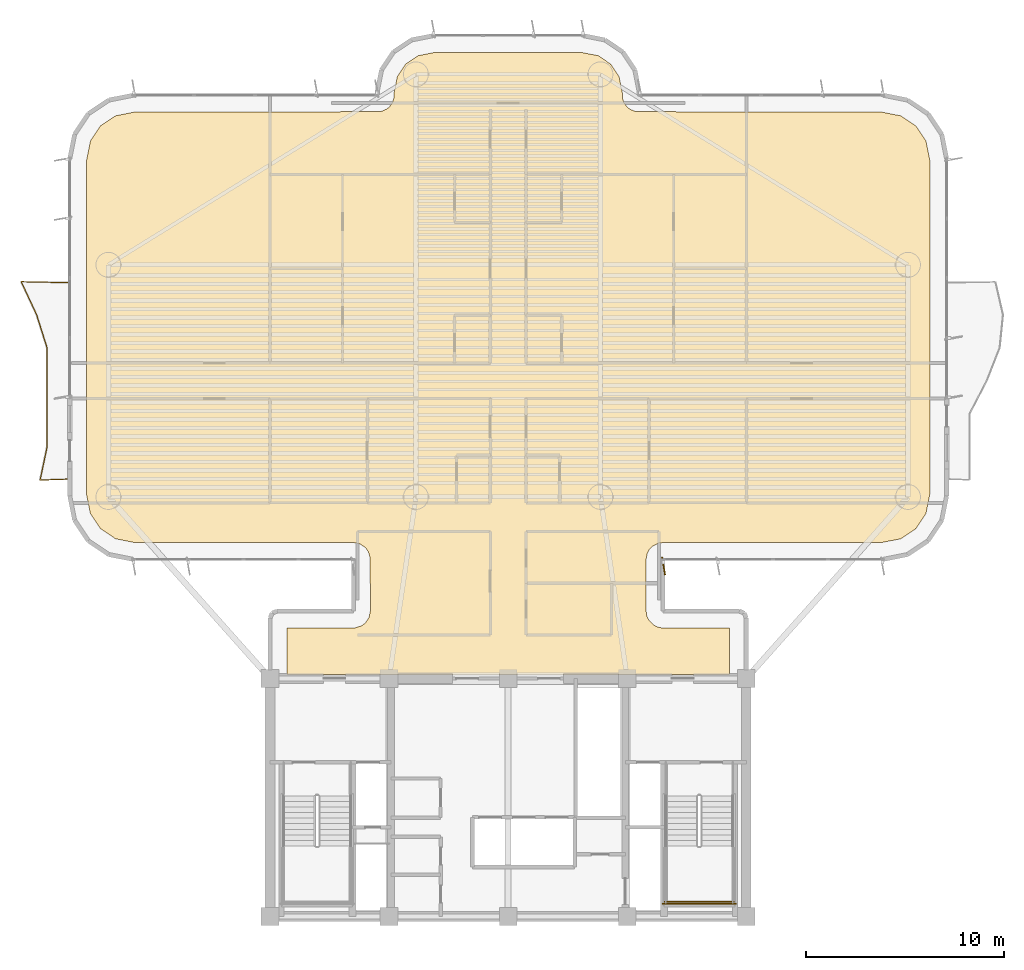
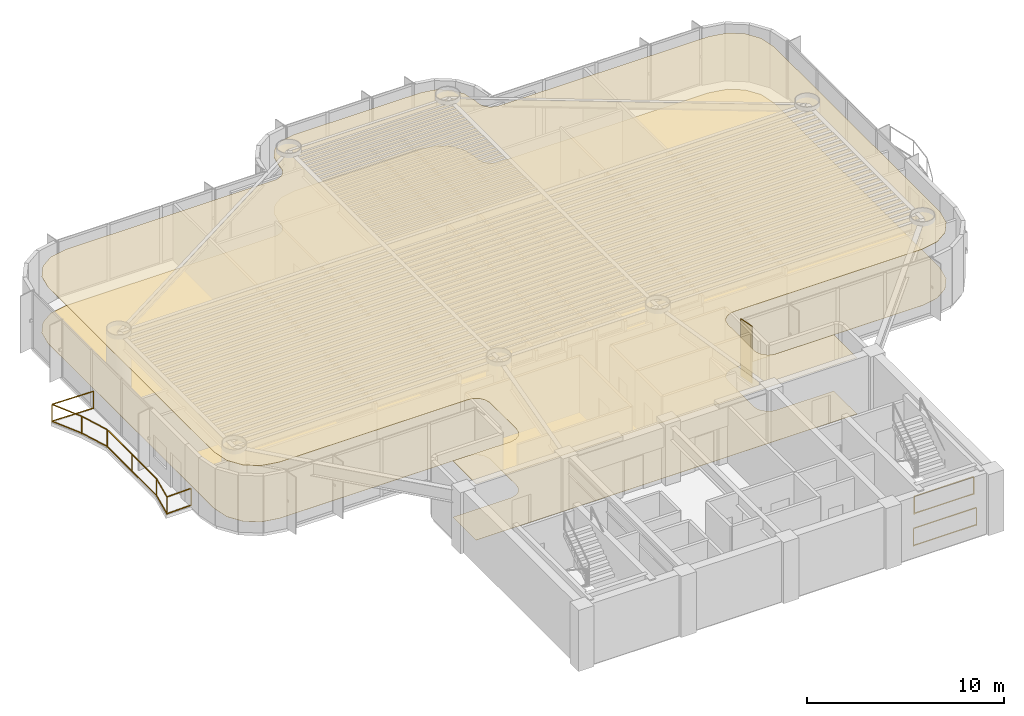
# One storey, part 15 of 17: 3 railings, 2 coverings, 1 shading device.
"""IFC4 building model written with IfcOpenShell, lengths in metres."""

from ifc_helpers import new_model, si_unit, direction, frame, origin, origin_2d, place, context, subcontext, project, spatial, polyline, rectangle, outline, extrude, source, transform, mapped, material, layer, layer_set, material_profile, profile_set, type_object, element, save


model = new_model("IFC4")

# Units and contexts
model_context = context("Model", 3, precision=1e-05, world=origin(), true_north=direction((0.0, 1.0)))
body_context = subcontext(model_context, "Body", "Model", "MODEL_VIEW")
ifc_project = project(units=[si_unit("LENGTHUNIT", "METRE"), si_unit("AREAUNIT", "SQUARE_METRE"), si_unit("VOLUMEUNIT", "CUBIC_METRE"), si_unit("PLANEANGLEUNIT", "RADIAN"), si_unit("MASSUNIT", "GRAM", prefix="KILO")], contexts=[model_context])

# Site, building, storey
site_placement = place(None, origin())
site = spatial("IfcSite", under=ifc_project, at=site_placement, CompositionType="ELEMENT")
building_placement = place(site_placement, origin())
building = spatial("IfcBuilding", under=site, at=building_placement, Name="Brelvock Crest Care Tower", CompositionType="ELEMENT")
storey_placement = place(building_placement, frame((0.0, 0.0, 97.3798828125)))
storey = spatial("IfcBuildingStorey", under=building, at=storey_placement, Name="L24", CompositionType="ELEMENT", Elevation=97.3798828125)

# Coverings
ifc_material_1 = material(Name="Mineral Fibre Acoustic Ceiling Tile", Category="gypsum")
ifc_layer_1 = layer(ifc_material_1, 0.02490234375, Name="COV-CLG1")
ifc_layer_set_1 = layer_set([ifc_layer_1], Name="Mineral Fibre Acoustic Ceiling Tile")
covering_type_1 = type_object("IfcCoveringType", Name="COV-CLG1", PredefinedType="CEILING", material=ifc_layer_set_1)
covering_1_placement = place(storey_placement, frame((0.0, 0.0, 3.47509765625)))
element("IfcCovering", 1, at=covering_1_placement, inside=storey, type_object=covering_type_1, Name="L24 Acoustic Suspended Ceiling 1", PredefinedType="CEILING", context=body_context, shape_type="SweptSolid", body=[
    extrude(outline(polyline([(24.85009765625, 18.199951171875), (47.14990234375, 18.199951171875), (47.14990234375, 20.550048828125), (43.716796875, 20.55419921875), (43.55322265625, 20.586669921875), (43.327880859375, 20.693359375), (43.09326171875, 20.927734375), (42.986572265625, 21.1533203125), (42.949951171875, 21.39990234375), (42.949951171875, 24.0), (43.0146484375, 24.3251953125), (43.09326171875, 24.47216796875), (43.2607421875, 24.656982421875), (43.55322265625, 24.8134765625), (43.800048828125, 24.85009765625), (54.81640625, 24.85009765625), (55.79296875, 25.044189453125), (56.5498046875, 25.550048828125), (57.0556640625, 26.30712890625), (57.25, 27.28369140625), (57.25, 44.1162109375), (57.0556640625, 45.093017578125), (56.5498046875, 45.849853515625), (55.79296875, 46.355712890625), (54.81640625, 46.550048828125), (42.43408203125, 46.56640625), (42.127685546875, 46.693359375), (41.9990234375, 46.799072265625), (41.850341796875, 46.999267578125), (41.766357421875, 47.234130859375), (41.75, 47.516357421875), (41.586181640625, 48.33984375), (41.1669921875, 48.967041015625), (40.539794921875, 49.38623046875), (39.71630859375, 49.550048828125), (32.28369140625, 49.550048828125), (31.460205078125, 49.38623046875), (30.8330078125, 48.967041015625), (30.413818359375, 48.33984375), (30.25, 47.516357421875), (30.233642578125, 47.234130859375), (30.149658203125, 46.999267578125), (30.0009765625, 46.799072265625), (29.872314453125, 46.693359375), (29.56591796875, 46.56640625), (17.18359375, 46.550048828125), (16.20703125, 46.355712890625), (15.4501953125, 45.849853515625), (14.9443359375, 45.093017578125), (14.75, 44.1162109375), (14.75, 27.28369140625), (14.9443359375, 26.30712890625), (15.4501953125, 25.550048828125), (16.20703125, 25.044189453125), (17.18359375, 24.85009765625), (28.199951171875, 24.85009765625), (28.525390625, 24.785400390625), (28.801025390625, 24.60107421875), (28.94970703125, 24.400634765625), (29.0458984375, 24.083251953125), (29.050048828125, 21.39990234375), (28.9853515625, 21.07470703125), (28.801025390625, 20.799072265625), (28.6005859375, 20.650390625), (28.283203125, 20.55419921875), (24.85009765625, 20.550048828125), (24.85009765625, 18.199951171875)])), origin(), (0.0, 0.0, 1.0), 0.02490234375),
])
ifc_material_2 = material(Name="Slip-Resistant Acoustic Vinyl Flooring", Category="finish")
ifc_layer_2 = layer(ifc_material_2, 0.014892578125, Name="COV-FLR1")
ifc_layer_set_2 = layer_set([ifc_layer_2], Name="Slip-Resistant Acoustic Vinyl Flooring")
covering_type_2 = type_object("IfcCoveringType", Name="COV-FLR1", PredefinedType="FLOORING", material=ifc_layer_set_2)
covering_2_placement = place(storey_placement, origin())
element("IfcCovering", 2, at=covering_2_placement, inside=storey, type_object=covering_type_2, Name="L24 Slip-Resistant Acoustic Flooring 1", PredefinedType="FLOORING", context=body_context, shape_type="SweptSolid", body=[
    extrude(outline(polyline([(24.85009765625, 18.199951171875), (47.14990234375, 18.199951171875), (47.14990234375, 20.550048828125), (43.716796875, 20.55419921875), (43.55322265625, 20.586669921875), (43.327880859375, 20.693359375), (43.09326171875, 20.927734375), (42.986572265625, 21.1533203125), (42.949951171875, 21.39990234375), (42.949951171875, 24.0), (43.0146484375, 24.3251953125), (43.09326171875, 24.47216796875), (43.2607421875, 24.656982421875), (43.55322265625, 24.8134765625), (43.800048828125, 24.85009765625), (54.81640625, 24.85009765625), (55.79296875, 25.044189453125), (56.5498046875, 25.550048828125), (57.0556640625, 26.30712890625), (57.25, 27.28369140625), (57.25, 44.1162109375), (57.0556640625, 45.093017578125), (56.5498046875, 45.849853515625), (55.79296875, 46.355712890625), (54.81640625, 46.550048828125), (42.43408203125, 46.56640625), (42.127685546875, 46.693359375), (41.9990234375, 46.799072265625), (41.850341796875, 46.999267578125), (41.766357421875, 47.234130859375), (41.75, 47.516357421875), (41.586181640625, 48.33984375), (41.1669921875, 48.967041015625), (40.539794921875, 49.38623046875), (39.71630859375, 49.550048828125), (32.28369140625, 49.550048828125), (31.460205078125, 49.38623046875), (30.8330078125, 48.967041015625), (30.413818359375, 48.33984375), (30.25, 47.516357421875), (30.233642578125, 47.234130859375), (30.149658203125, 46.999267578125), (30.0009765625, 46.799072265625), (29.872314453125, 46.693359375), (29.56591796875, 46.56640625), (17.18359375, 46.550048828125), (16.20703125, 46.355712890625), (15.4501953125, 45.849853515625), (14.9443359375, 45.093017578125), (14.75, 44.1162109375), (14.75, 27.28369140625), (14.9443359375, 26.30712890625), (15.4501953125, 25.550048828125), (16.20703125, 25.044189453125), (17.18359375, 24.85009765625), (28.199951171875, 24.85009765625), (28.525390625, 24.785400390625), (28.801025390625, 24.60107421875), (28.94970703125, 24.400634765625), (29.0458984375, 24.083251953125), (29.050048828125, 21.39990234375), (28.9853515625, 21.07470703125), (28.801025390625, 20.799072265625), (28.6005859375, 20.650390625), (28.283203125, 20.55419921875), (24.85009765625, 20.550048828125), (24.85009765625, 18.199951171875)])), origin(), (0.0, 0.0, 1.0), 0.01513671875),
])

# Railings
ifc_material_3 = material(Name="Dark Glass Double Glazed Low-E", Category="glass")
ifc_layer_3 = layer(ifc_material_3, 0.06005859375, Name="RL-BAL1")
ifc_layer_set_3 = layer_set([ifc_layer_3], Name="Dark Glass Double Glazed Low-E")
railing_type_1 = type_object("IfcRailingType", Name="RL-BAL1", PredefinedType="BALUSTRADE", material=ifc_layer_set_3)
railing_1_placement = place(storey_placement, frame((13.860107421875, 28.050048828125, 0.004150390625)))
element("IfcRailing", 3, at=railing_1_placement, inside=storey, type_object=railing_type_1, Name="L24 Safety Balustrade WB-W", PredefinedType="BALUSTRADE", context=body_context, shape_type="SweptSolid", body=[
    extrude(rectangle(XDim=0.048095703125, YDim=0.048095703125, at=origin_2d()), frame((-0.001953125, 0.0, 1.09619140625), z_axis=(-0.999404999824, -0.034491249994, 0.0), x_axis=(0.034491249994, -0.999404999824, 0.0)), (0.0, 0.0, 1.0), 1.447021484375),
    extrude(rectangle(XDim=0.048095703125, YDim=0.048095703125, at=origin_2d()), frame((-0.001953125, 0.0, 0.054931640625), z_axis=(-0.999404999824, -0.034491249994, 0.0), x_axis=(0.034491249994, -0.999404999824, 0.0)), (0.0, 0.0, 1.0), 1.447021484375),
    extrude(rectangle(XDim=0.048095703125, YDim=0.048095703125, at=origin_2d()), frame((-1.44970703125, -0.048095703125, 1.09619140625), z_axis=(0.205562541209, 0.978643981053, 0.0), x_axis=(-0.978643981053, 0.205562541209, 0.0)), (0.0, 0.0, 1.0), 1.69921875),
    extrude(rectangle(XDim=0.048095703125, YDim=0.048095703125, at=origin_2d()), frame((-1.44970703125, -0.048095703125, 0.054931640625), z_axis=(0.205562541209, 0.978643981053, 0.0), x_axis=(-0.978643981053, 0.205562541209, 0.0)), (0.0, 0.0, 1.0), 1.69921875),
    extrude(rectangle(XDim=0.048095703125, YDim=0.048095703125, at=origin_2d()), frame((-1.10009765625, 1.61865234375, 1.09619140625), z_axis=(0.0, 1.0, 0.0), x_axis=(-1.0, 0.0, 0.0)), (0.0, 0.0, 1.0), 4.99609375),
    extrude(rectangle(XDim=0.048095703125, YDim=0.048095703125, at=origin_2d()), frame((-1.10009765625, 1.61865234375, 0.054931640625), z_axis=(0.0, 1.0, 0.0), x_axis=(-1.0, 0.0, 0.0)), (0.0, 0.0, 1.0), 4.99609375),
    extrude(rectangle(XDim=0.048095703125, YDim=0.048095703125, at=origin_2d()), frame((-1.1005859375, 6.61865234375, 1.09619140625), z_axis=(-0.30105782115, 0.953605887316, 0.0), x_axis=(-0.953605887316, -0.30105782115, 0.0)), (0.0, 0.0, 1.0), 1.74365234375),
    extrude(rectangle(XDim=0.048095703125, YDim=0.048095703125, at=origin_2d()), frame((-1.1005859375, 6.61865234375, 0.054931640625), z_axis=(-0.30105782115, 0.953605887316, 0.0), x_axis=(-0.953605887316, -0.30105782115, 0.0)), (0.0, 0.0, 1.0), 1.74365234375),
    extrude(rectangle(XDim=0.048095703125, YDim=0.048095703125, at=origin_2d()), frame((-1.626953125, 8.284912109375, 1.09619140625), z_axis=(-0.423219639169, 0.906027117156, 0.0), x_axis=(-0.906027117156, -0.423219639169, 0.0)), (0.0, 0.0, 1.0), 1.835693359375),
    extrude(rectangle(XDim=0.048095703125, YDim=0.048095703125, at=origin_2d()), frame((-1.626953125, 8.284912109375, 0.054931640625), z_axis=(-0.423219639169, 0.906027117156, 0.0), x_axis=(-0.906027117156, -0.423219639169, 0.0)), (0.0, 0.0, 1.0), 1.835693359375),
    extrude(rectangle(XDim=0.048095703125, YDim=0.048095703125, at=origin_2d()), frame((-2.40283203125, 9.949951171875, 1.09619140625), z_axis=(0.999783496855, -0.020807676838, 0.0), x_axis=(0.020807676838, 0.999783496855, 0.0)), (0.0, 0.0, 1.0), 2.4013671875),
    extrude(rectangle(XDim=0.048095703125, YDim=0.048095703125, at=origin_2d()), frame((-2.40283203125, 9.949951171875, 0.054931640625), z_axis=(0.999783496855, -0.020807676838, 0.0), x_axis=(0.020807676838, 0.999783496855, 0.0)), (0.0, 0.0, 1.0), 2.4013671875),
    extrude(rectangle(XDim=0.0419921875, YDim=0.0419921875, at=origin_2d()), origin(), (0.0, 0.0, 1.0), 1.070068359375),
    extrude(rectangle(XDim=0.0419921875, YDim=0.0419921875, at=origin_2d()), frame((-1.4501953125, -0.050048828125, 0.0)), (0.0, 0.0, 1.0), 1.070068359375),
    extrude(rectangle(XDim=0.0419921875, YDim=0.0419921875, at=origin_2d()), frame((-1.10009765625, 1.61669921875, 0.0)), (0.0, 0.0, 1.0), 1.070068359375),
    extrude(rectangle(XDim=0.0419921875, YDim=0.0419921875, at=origin_2d()), frame((-1.10009765625, 4.11669921875, 0.0)), (0.0, 0.0, 1.0), 1.070068359375),
    extrude(rectangle(XDim=0.0419921875, YDim=0.0419921875, at=origin_2d()), frame((-1.10009765625, 6.61669921875, 0.0)), (0.0, 0.0, 1.0), 1.070068359375),
    extrude(rectangle(XDim=0.0419921875, YDim=0.0419921875, at=origin_2d()), frame((-1.626220703125, 8.283203125, 0.0)), (0.0, 0.0, 1.0), 1.070068359375),
    extrude(rectangle(XDim=0.0419921875, YDim=0.0419921875, at=origin_2d()), frame((-2.40478515625, 9.949951171875, 0.0)), (0.0, 0.0, 1.0), 1.070068359375),
    extrude(rectangle(XDim=0.0419921875, YDim=0.0419921875, at=origin_2d()), frame((0.0, 9.89990234375, 0.0)), (0.0, 0.0, 1.0), 1.070068359375),
])
ifc_material_4 = material(Name="Steel Grade 350", Category="steel")
ifc_layer_4 = layer(ifc_material_4, 0.050048828125, Name="RL-STG1")
ifc_layer_set_4 = layer_set([ifc_layer_4], Name="Steel Grade 350")
railing_type_2 = type_object("IfcRailingType", Name="RL-STG1", PredefinedType="GUARDRAIL", material=ifc_layer_set_4)
railing_2_placement = place(storey_placement, frame((43.889892578125, 6.75, 1.89013671875)))
element("IfcRailing", 4, at=railing_2_placement, inside=storey, type_object=railing_type_2, Name="L24 ST-2 stair guard 5", PredefinedType="GUARDRAIL", context=body_context, shape_type="SweptSolid", body=[
    extrude(rectangle(XDim=0.048095703125, YDim=0.048095703125, at=origin_2d()), frame((0.001953125, 0.0, 1.11572265625), z_axis=(1.0, 0.0, 0.0), x_axis=(0.0, 1.0, 0.0)), (0.0, 0.0, 1.0), 3.476318359375),
    extrude(rectangle(XDim=0.048095703125, YDim=0.048095703125, at=origin_2d()), frame((0.001953125, 0.0, 0.054931640625), z_axis=(1.0, 0.0, 0.0), x_axis=(0.0, 1.0, 0.0)), (0.0, 0.0, 1.0), 3.476318359375),
    extrude(rectangle(XDim=0.0419921875, YDim=0.0419921875, at=origin_2d()), origin(), (0.0, 0.0, 1.0), 1.08984375),
    extrude(rectangle(XDim=0.0419921875, YDim=0.0419921875, at=origin_2d()), frame((3.480224609375, 0.0, 0.0)), (0.0, 0.0, 1.0), 1.08984375),
])
railing_3_placement = place(storey_placement, frame((43.7900390625, 6.64990234375, 0.0)))
element("IfcRailing", 5, at=railing_3_placement, inside=storey, type_object=railing_type_2, Name="L24 ST-2 stair guard 12", PredefinedType="GUARDRAIL", context=body_context, shape_type="SweptSolid", body=[
    extrude(rectangle(XDim=0.048095703125, YDim=0.048095703125, at=origin_2d()), frame((0.001953125, 0.0, 1.11572265625), z_axis=(1.0, 0.0, 0.0), x_axis=(0.0, 1.0, 0.0)), (0.0, 0.0, 1.0), 3.676025390625),
    extrude(rectangle(XDim=0.048095703125, YDim=0.048095703125, at=origin_2d()), frame((0.001953125, 0.0, 0.054931640625), z_axis=(1.0, 0.0, 0.0), x_axis=(0.0, 1.0, 0.0)), (0.0, 0.0, 1.0), 3.676025390625),
    extrude(rectangle(XDim=0.0419921875, YDim=0.0419921875, at=origin_2d()), origin(), (0.0, 0.0, 1.0), 1.08984375),
    extrude(rectangle(XDim=0.0419921875, YDim=0.0419921875, at=origin_2d()), frame((3.679931640625, 0.0, 0.0)), (0.0, 0.0, 1.0), 1.08984375),
])

# Shading device
ifc_material_5 = material(Name="Aluminium 6063-T6", Category="aluminium")
ifc_material_profile = material_profile(ifc_material_5, rectangle(XDim=0.054931640625, YDim=0.89990234375, at=origin_2d()), Name="FIN55x900")
ifc_profile_set = profile_set([ifc_material_profile], Name="Aluminium 6063-T6")
shading_device_type = type_object("IfcShadingDeviceType", Name="SHD-FIN1", PredefinedType="USERDEFINED", material=ifc_profile_set)
shared_shape = source(origin(), body_context, "Body", "SweptSolid", [
    extrude(rectangle(XDim=0.054931640625, YDim=0.89990234375, at=origin_2d()), origin(), (0.0, 0.0, 1.0), 3.530029296875),
])
shading_device_placement = place(storey_placement, frame((43.830078125, 23.659912109375, 0.0), z_axis=(0.0, 0.0, 1.0), x_axis=(-0.984807753012, -0.173648177667, 0.0)))
element("IfcShadingDevice", 6, at=shading_device_placement, inside=storey, type_object=shading_device_type, Name="L24 Vertical Sunshade Fin E44-05", ObjectType="FIN", PredefinedType="USERDEFINED", context=body_context, shape_type="MappedRepresentation", body=[
    mapped(shared_shape, transform((0.0, 0.0, 0.0), x_axis=(1.0, 0.0, 0.0), y_axis=(0.0, 1.0, 0.0), z_axis=(0.0, 0.0, 1.0), scale=1.0)),
])

save(model, "model.ifc")
